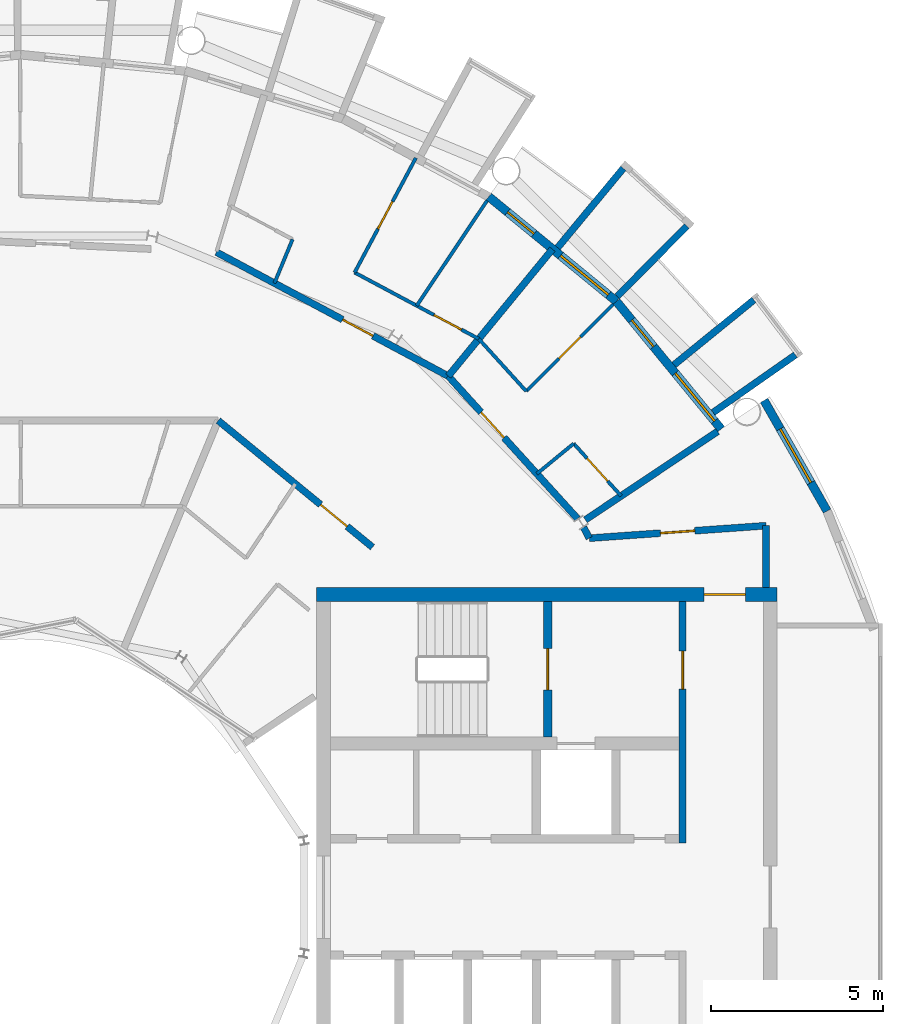
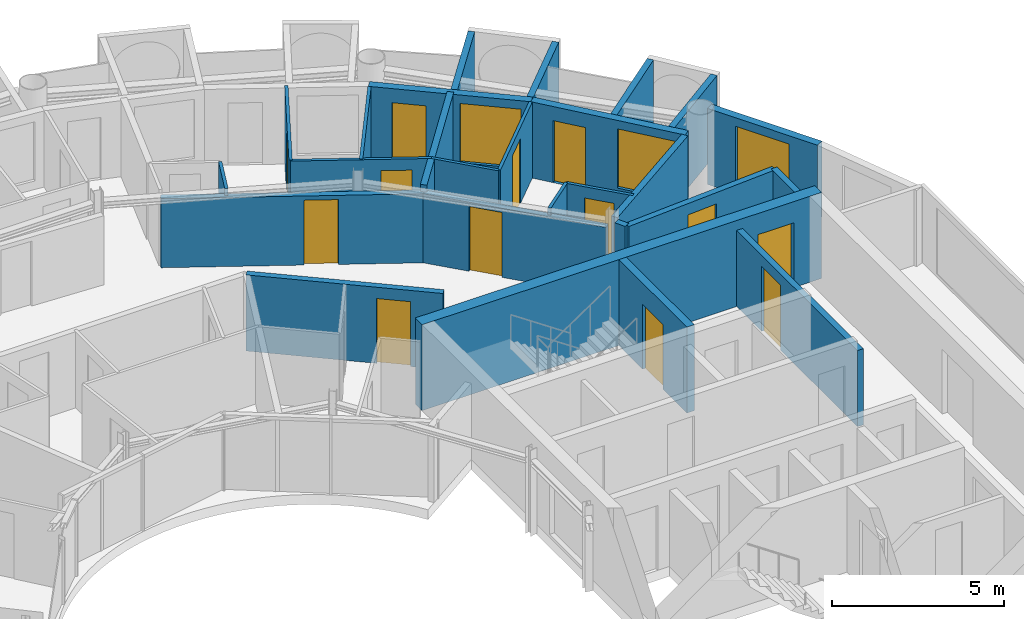
# One storey, part 22 of 27: 26 walls, 13 doors, 3 windows, 16 openings.
"""IFC4 building model written with IfcOpenShell, lengths in metres."""

from ifc_helpers import new_model, si_unit, direction, frame, frame_2d, origin, place, context, subcontext, project, spatial, rectangle, extrude, material, layer, layer_set, type_object, element, fill, save


model = new_model("IFC4")

# Units and contexts
model_context = context("Model", 3, precision=1e-05, world=origin(), true_north=direction((0.0, 1.0)))
body_context = subcontext(model_context, "Body", "Model", "MODEL_VIEW")
ifc_project = project(units=[si_unit("LENGTHUNIT", "METRE"), si_unit("AREAUNIT", "SQUARE_METRE"), si_unit("VOLUMEUNIT", "CUBIC_METRE"), si_unit("PLANEANGLEUNIT", "RADIAN"), si_unit("MASSUNIT", "GRAM", prefix="KILO")], contexts=[model_context])

# Site, building, storey
site_placement = place(None, origin())
site = spatial("IfcSite", under=ifc_project, at=site_placement, CompositionType="ELEMENT")
building_placement = place(site_placement, origin())
building = spatial("IfcBuilding", under=site, at=building_placement, Name="Maasbend Ring Residences", CompositionType="ELEMENT")
storey_placement = place(building_placement, frame((0.0, 0.0, 240.14990234375)))
storey = spatial("IfcBuildingStorey", under=building, at=storey_placement, Name="L69", CompositionType="ELEMENT", Elevation=240.14990234375)

# Wall, opening, door
ifc_material_1 = material(Name="Concrete C50/60", Category="concrete")
ifc_layer_1 = layer(ifc_material_1, 0.25)
ifc_layer_set_1 = layer_set([ifc_layer_1], Name="Concrete C50/60")
wall_type_1 = type_object("IfcWallType", Name="CORE WALL 250 C50/60", PredefinedType="SHEAR", material=ifc_layer_set_1)
wall_1_placement = place(storey_placement, frame((15.324951171875, 4.64990234375, 0.0), z_axis=(0.0, 0.0, 1.0), x_axis=(0.0, 1.0, 0.0)))
wall_1 = element("IfcWall", 1, at=wall_1_placement, inside=storey, type_object=wall_type_1, Name="L69 core E wall STEN", PredefinedType="SHEAR", context=body_context, shape_type="SweptSolid", body=[
    extrude(rectangle(XDim=3.9501953125, YDim=0.25, at=frame_2d((1.97509765625, 0.0))), origin(), (0.0, 0.0, 1.0), 3.050048828125),
])
opening_1_placement = place(wall_1_placement, frame((1.375, 0.0, 0.0)))
opening_1 = element("IfcOpeningElement", 2, at=opening_1_placement, cuts=wall_1, Name="Opening D-E6911", PredefinedType="OPENING", context=body_context, shape_type="SweptSolid", body=[
    extrude(rectangle(XDim=1.199951171875, YDim=2.300048828125, at=frame_2d((0.60009765625, 1.14990234375))), frame((0.0, 0.135009765625, 0.0), z_axis=(0.0, -1.0, 0.0), x_axis=(1.0, 0.0, 0.0)), (0.0, 0.0, 1.0), 0.27001953125),
])
ifc_material_2 = material(Name="Steel, powder coated", Category="steel")
door_type_1 = type_object("IfcDoorType", Name="STAIR DOOR 1200 X 2300 FD60", OperationType="NOTDEFINED", PredefinedType="DOOR", material=ifc_material_2)
door_1_placement = place(opening_1_placement, origin())
door_1 = element("IfcDoor", 3, at=door_1_placement, inside=storey, type_object=door_type_1, Name="Stair door ST-E L69", OperationType="SINGLE_SWING_LEFT", OverallHeight=2.300048828125, OverallWidth=1.199951171875, PredefinedType="DOOR", context=body_context, shape_type="SweptSolid", body=[
    extrude(rectangle(XDim=1.199951171875, YDim=2.300048828125, at=frame_2d((0.60009765625, 1.14990234375))), frame((0.0, 0.02490234375, 0.0), z_axis=(0.0, -1.0, 0.0), x_axis=(1.0, 0.0, 0.0)), (0.0, 0.0, 1.0), 0.050048828125),
])
fill(opening_1, door_1)

ifc_material_3 = material(Name="Concrete C50/60", Category="concrete")
ifc_layer_2 = layer(ifc_material_3, 0.39990234375)
ifc_layer_set_2 = layer_set([ifc_layer_2], Name="Concrete C50/60")
wall_type_2 = type_object("IfcWallType", Name="CORE WALL 400 C50/60", PredefinedType="SHEAR", material=ifc_layer_set_2)
wall_2_placement = place(storey_placement, frame((22.0, 8.800048828125, 0.0), z_axis=(0.0, 0.0, 1.0), x_axis=(-1.0, 0.0, 0.0)))
wall_2 = element("IfcWall", 4, at=wall_2_placement, inside=storey, type_object=wall_type_2, Name="L69 core E wall PN", PredefinedType="SHEAR", context=body_context, shape_type="SweptSolid", body=[
    extrude(rectangle(XDim=13.39990234375, YDim=0.39990234375, at=frame_2d((6.699951171875, 0.0))), origin(), (0.0, 0.0, 1.0), 3.050048828125),
])
opening_2_placement = place(wall_2_placement, frame((0.925048828125, 0.0, 0.0)))
opening_2 = element("IfcOpeningElement", 5, at=opening_2_placement, cuts=wall_2, Name="Opening D-E6915", PredefinedType="OPENING", context=body_context, shape_type="SweptSolid", body=[
    extrude(rectangle(XDim=1.199951171875, YDim=2.300048828125, at=frame_2d((0.60009765625, 1.14990234375))), frame((0.0, 0.2099609375, 0.0), z_axis=(0.0, -1.0, 0.0), x_axis=(1.0, 0.0, 0.0)), (0.0, 0.0, 1.0), 0.419921875),
])
ifc_material_4 = material(Name="Steel, powder coated", Category="steel")
door_type_2 = type_object("IfcDoorType", Name="CORRIDOR DOOR 1200 X 2300 FD30S", OperationType="NOTDEFINED", PredefinedType="DOOR", material=ifc_material_4)
door_2_placement = place(opening_2_placement, origin())
door_2 = element("IfcDoor", 6, at=door_2_placement, inside=storey, type_object=door_type_2, Name="Corridor door L69", OperationType="SINGLE_SWING_RIGHT", OverallHeight=2.300048828125, OverallWidth=1.199951171875, PredefinedType="DOOR", context=body_context, shape_type="SweptSolid", body=[
    extrude(rectangle(XDim=1.199951171875, YDim=2.300048828125, at=frame_2d((0.60009765625, 1.14990234375))), frame((0.0, 0.02490234375, 0.0), z_axis=(0.0, -1.0, 0.0), x_axis=(1.0, 0.0, 0.0)), (0.0, 0.0, 1.0), 0.050048828125),
])
fill(opening_2, door_2)

# Wall
ifc_material_5 = material(Name="Concrete C30/37", Category="concrete")
ifc_layer_3 = layer(ifc_material_5, 0.199951171875)
ifc_layer_set_3 = layer_set([ifc_layer_3], Name="Concrete C30/37")
wall_type_3 = type_object("IfcWallType", Name="CORRIDOR WALL 200 CONCRETE", PredefinedType="PARTITIONING", material=ifc_layer_set_3)
wall_3_placement = place(storey_placement, frame((21.675048828125, 9.0, 0.0), z_axis=(0.0, 0.0, 1.0), x_axis=(0.0, 1.0, 0.0)))
element("IfcWall", 7, at=wall_3_placement, inside=storey, type_object=wall_type_3, Name="U-L69-w002", PredefinedType="PARTITIONING", context=body_context, shape_type="SweptSolid", body=[
    extrude(rectangle(XDim=1.800048828125, YDim=0.199951171875, at=frame_2d((0.89990234375, 0.0))), origin(), (0.0, 0.0, 1.0), 2.7001953125),
])

# Wall, opening, door
wall_4_placement = place(storey_placement, frame((16.534912109375, 10.43701171875, 0.0), z_axis=(0.0, 0.0, 1.0), x_axis=(0.997515141784, 0.070452408845, 0.0)))
wall_4 = element("IfcWall", 8, at=wall_4_placement, inside=storey, type_object=wall_type_3, Name="U-L69-w098", PredefinedType="PARTITIONING", context=body_context, shape_type="SweptSolid", body=[
    extrude(rectangle(XDim=5.15283203125, YDim=0.199951171875, at=frame_2d((2.576416015625, 0.0))), origin(), (0.0, 0.0, 1.0), 2.7001953125),
])
opening_3_placement = place(wall_4_placement, frame((2.075927734375, 0.0, 0.0)))
opening_3 = element("IfcOpeningElement", 9, at=opening_3_placement, cuts=wall_4, Name="Opening D-6966", PredefinedType="OPENING", context=body_context, shape_type="SweptSolid", body=[
    extrude(rectangle(XDim=1.0, YDim=2.300048828125, at=frame_2d((0.5, 1.14990234375))), frame((0.0, 0.10986328125, 0.0), z_axis=(0.0, -1.0, 0.0), x_axis=(1.0, 0.0, 0.0)), (0.0, 0.0, 1.0), 0.219970703125),
])
ifc_material_6 = material(Name="Timber, painted", Category="wood")
door_type_3 = type_object("IfcDoorType", Name="ROOM DOOR 1000 X 2300", OperationType="NOTDEFINED", PredefinedType="DOOR", material=ifc_material_6)
door_3_placement = place(opening_3_placement, origin())
door_3 = element("IfcDoor", 10, at=door_3_placement, inside=storey, type_object=door_type_3, Name="D-6966", OperationType="SINGLE_SWING_LEFT", OverallHeight=2.300048828125, OverallWidth=1.0, PredefinedType="DOOR", context=body_context, shape_type="SweptSolid", body=[
    extrude(rectangle(XDim=1.0, YDim=2.300048828125, at=frame_2d((0.5, 1.14990234375))), frame((0.0, 0.02490234375, 0.0), z_axis=(0.0, -1.0, 0.0), x_axis=(1.0, 0.0, 0.0)), (0.0, 0.0, 1.0), 0.050048828125),
])
fill(opening_3, door_3)

wall_5_placement = place(storey_placement, frame((5.741943359375, 13.85693359375, 0.0), z_axis=(0.0, 0.0, 1.0), x_axis=(0.772989261861, -0.634419105204, 0.0)))
wall_5 = element("IfcWall", 11, at=wall_5_placement, inside=storey, type_object=wall_type_3, Name="U-L69-w107", PredefinedType="PARTITIONING", context=body_context, shape_type="SweptSolid", body=[
    extrude(rectangle(XDim=5.803466796875, YDim=0.199951171875, at=frame_2d((2.90185546875, 0.0))), origin(), (0.0, 0.0, 1.0), 2.7001953125),
])
opening_4_placement = place(wall_5_placement, frame((3.85107421875, 0.0, 0.0)))
opening_4 = element("IfcOpeningElement", 12, at=opening_4_placement, cuts=wall_5, Name="Opening D-6921", PredefinedType="OPENING", context=body_context, shape_type="SweptSolid", body=[
    extrude(rectangle(XDim=1.0, YDim=2.300048828125, at=frame_2d((0.5, 1.14990234375))), frame((0.0, 0.10986328125, 0.0), z_axis=(0.0, -1.0, 0.0), x_axis=(1.0, 0.0, 0.0)), (0.0, 0.0, 1.0), 0.219970703125),
])
ifc_material_7 = material(Name="Timber, fire-rated, painted", Category="wood")
door_type_4 = type_object("IfcDoorType", Name="FLAT ENTRANCE DOOR 1000 X 2300 FIRE-RATED", OperationType="NOTDEFINED", PredefinedType="DOOR", material=ifc_material_7)
door_4_placement = place(opening_4_placement, origin())
door_4 = element("IfcDoor", 13, at=door_4_placement, inside=storey, type_object=door_type_4, Name="D-6921", OperationType="SINGLE_SWING_RIGHT", OverallHeight=2.300048828125, OverallWidth=1.0, PredefinedType="DOOR", context=body_context, shape_type="SweptSolid", body=[
    extrude(rectangle(XDim=1.0, YDim=2.300048828125, at=frame_2d((0.5, 1.14990234375))), frame((0.0, 0.02490234375, 0.0), z_axis=(0.0, -1.0, 0.0), x_axis=(1.0, 0.0, 0.0)), (0.0, 0.0, 1.0), 0.050048828125),
])
fill(opening_4, door_4)

wall_6_placement = place(storey_placement, frame((5.68994140625, 18.756103515625, 0.0), z_axis=(0.0, 0.0, 1.0), x_axis=(0.881899173092, -0.47143806433, 0.0)))
wall_6 = element("IfcWall", 14, at=wall_6_placement, inside=storey, type_object=wall_type_3, Name="U-L69-w110", PredefinedType="PARTITIONING", context=body_context, shape_type="SweptSolid", body=[
    extrude(rectangle(XDim=7.647216796875, YDim=0.199951171875, at=frame_2d((3.82373046875, 0.0))), origin(), (0.0, 0.0, 1.0), 2.4501953125),
])
opening_5_placement = place(wall_6_placement, frame((4.160888671875, 0.0, 0.0)))
opening_5 = element("IfcOpeningElement", 15, at=opening_5_placement, cuts=wall_6, Name="Opening D-6904", PredefinedType="OPENING", context=body_context, shape_type="SweptSolid", body=[
    extrude(rectangle(XDim=1.0, YDim=2.300048828125, at=frame_2d((0.5, 1.14990234375))), frame((0.0, 0.10986328125, 0.0), z_axis=(0.0, -1.0, 0.0), x_axis=(1.0, 0.0, 0.0)), (0.0, 0.0, 1.0), 0.219970703125),
])
door_5_placement = place(opening_5_placement, origin())
door_5 = element("IfcDoor", 16, at=door_5_placement, inside=storey, type_object=door_type_4, Name="D-6904", OperationType="SINGLE_SWING_RIGHT", OverallHeight=2.300048828125, OverallWidth=1.0, PredefinedType="DOOR", context=body_context, shape_type="SweptSolid", body=[
    extrude(rectangle(XDim=1.0, YDim=2.300048828125, at=frame_2d((0.5, 1.14990234375))), frame((0.0, 0.02490234375, 0.0), z_axis=(0.0, -1.0, 0.0), x_axis=(1.0, 0.0, 0.0)), (0.0, 0.0, 1.0), 0.050048828125),
])
fill(opening_5, door_5)

wall_7_placement = place(storey_placement, frame((12.43408203125, 15.15087890625, 0.0), z_axis=(0.0, 0.0, 1.0), x_axis=(0.671619657805, -0.740896102871, 0.0)))
wall_7 = element("IfcWall", 17, at=wall_7_placement, inside=storey, type_object=wall_type_3, Name="U-L69-w112", PredefinedType="PARTITIONING", context=body_context, shape_type="SweptSolid", body=[
    extrude(rectangle(XDim=5.599853515625, YDim=0.199951171875, at=frame_2d((2.7998046875, 0.0))), origin(), (0.0, 0.0, 1.0), 2.4501953125),
])
opening_6_placement = place(wall_7_placement, frame((1.4169921875, 0.0, 0.0)))
opening_6 = element("IfcOpeningElement", 18, at=opening_6_placement, cuts=wall_7, Name="Opening D-6901", PredefinedType="OPENING", context=body_context, shape_type="SweptSolid", body=[
    extrude(rectangle(XDim=1.0, YDim=2.300048828125, at=frame_2d((0.5, 1.14990234375))), frame((0.0, 0.10986328125, 0.0), z_axis=(0.0, -1.0, 0.0), x_axis=(1.0, 0.0, 0.0)), (0.0, 0.0, 1.0), 0.219970703125),
])
door_6_placement = place(opening_6_placement, origin())
door_6 = element("IfcDoor", 19, at=door_6_placement, inside=storey, type_object=door_type_4, Name="D-6901", OperationType="SINGLE_SWING_LEFT", OverallHeight=2.300048828125, OverallWidth=1.0, PredefinedType="DOOR", context=body_context, shape_type="SweptSolid", body=[
    extrude(rectangle(XDim=1.0, YDim=2.300048828125, at=frame_2d((0.5, 1.14990234375))), frame((0.0, 0.02490234375, 0.0), z_axis=(0.0, -1.0, 0.0), x_axis=(1.0, 0.0, 0.0)), (0.0, 0.0, 1.0), 0.050048828125),
])
fill(opening_6, door_6)

# Walls
wall_8_placement = place(storey_placement, frame((16.366943359375, 10.756103515625, 0.0), z_axis=(0.0, 0.0, 1.0), x_axis=(0.465802239822, -0.884888848035, 0.0)))
element("IfcWall", 20, at=wall_8_placement, inside=storey, type_object=wall_type_3, Name="U-L69-w114", PredefinedType="PARTITIONING", context=body_context, shape_type="SweptSolid", body=[
    extrude(rectangle(XDim=0.360595703125, YDim=0.199951171875, at=frame_2d((0.18017578125, 0.0))), origin(), (0.0, 0.0, 1.0), 2.7001953125),
])
ifc_material_8 = material(Name="Pale anodised aluminium panel", Category="aluminium")
ifc_layer_4 = layer(ifc_material_8, 0.199951171875)
ifc_layer_set_4 = layer_set([ifc_layer_4], Name="EW-BOX")
wall_type_4 = type_object("IfcWallType", Name="EW-BOX", PredefinedType="SOLIDWALL", material=ifc_layer_set_4)
wall_9_placement = place(storey_placement, frame((20.137939453125, 14.093017578125, -0.02978515625), z_axis=(0.0, 0.0, 1.0), x_axis=(0.81913764619, 0.573596998419, 0.0)))
element("IfcWall", 21, at=wall_9_placement, inside=storey, type_object=wall_type_4, Name="Box side wall N01 left", PredefinedType="SOLIDWALL", context=body_context, shape_type="SweptSolid", body=[
    extrude(rectangle(XDim=2.920166015625, YDim=0.199951171875, at=frame_2d((1.4599609375, 0.0))), origin(), (0.0, 0.0, 1.0), 2.72998046875),
])
wall_10_placement = place(storey_placement, frame((19.0, 15.47900390625, -0.02978515625), z_axis=(0.0, 0.0, 1.0), x_axis=(0.775612161439, 0.631209771017, 0.0)))
element("IfcWall", 22, at=wall_10_placement, inside=storey, type_object=wall_type_4, Name="Box side wall N01 right", PredefinedType="SOLIDWALL", context=body_context, shape_type="SweptSolid", body=[
    extrude(rectangle(XDim=2.992431640625, YDim=0.199951171875, at=frame_2d((1.49609375, 0.0))), origin(), (0.0, 0.0, 1.0), 2.72998046875),
])
wall_11_placement = place(storey_placement, frame((17.343994140625, 17.469970703125, -0.02978515625), z_axis=(0.0, 0.0, 1.0), x_axis=(0.704306055012, 0.709896457854, 0.0)))
element("IfcWall", 23, at=wall_11_placement, inside=storey, type_object=wall_type_4, Name="Box side wall N03 left", PredefinedType="SOLIDWALL", context=body_context, shape_type="SweptSolid", body=[
    extrude(rectangle(XDim=2.88232421875, YDim=0.199951171875, at=frame_2d((1.441162109375, 0.0))), origin(), (0.0, 0.0, 1.0), 2.72998046875),
])
wall_12_placement = place(storey_placement, frame((15.614990234375, 18.887939453125, -0.02978515625), z_axis=(0.0, 0.0, 1.0), x_axis=(0.637452521862, 0.770489638069, 0.0)))
element("IfcWall", 24, at=wall_12_placement, inside=storey, type_object=wall_type_4, Name="Box side wall N03 right", PredefinedType="SOLIDWALL", context=body_context, shape_type="SweptSolid", body=[
    extrude(rectangle(XDim=2.9931640625, YDim=0.199951171875, at=frame_2d((1.49658203125, 0.0))), origin(), (0.0, 0.0, 1.0), 2.72998046875),
])

# Wall, openings, door, window
ifc_material_9 = material(Name="Aluminium clad insulated panel", Category="aluminium")
ifc_layer_5 = layer(ifc_material_9, 0.25)
ifc_layer_set_5 = layer_set([ifc_layer_5], Name="EW-GL")
wall_type_5 = type_object("IfcWallType", Name="EW-GL", PredefinedType="SOLIDWALL", material=ifc_layer_set_5)
wall_13_placement = place(storey_placement, frame((20.37109375, 13.611083984375, 0.0), z_axis=(0.0, 0.0, 1.0), x_axis=(-0.634396836208, 0.773007538262, 0.0)))
wall_13 = element("IfcWall", 25, at=wall_13_placement, inside=storey, type_object=wall_type_5, Name="External wall N01", PredefinedType="SOLIDWALL", context=body_context, shape_type="SweptSolid", body=[
    extrude(rectangle(XDim=4.80322265625, YDim=0.25, at=frame_2d((2.401611328125, 0.0))), origin(), (0.0, 0.0, 1.0), 2.7001953125),
])
opening_7_placement = place(wall_13_placement, frame((0.3037109375, 0.0, 0.300048828125)))
opening_7 = element("IfcOpeningElement", 26, at=opening_7_placement, cuts=wall_13, Name="Opening W-BX", PredefinedType="OPENING", context=body_context, shape_type="SweptSolid", body=[
    extrude(rectangle(XDim=1.800048828125, YDim=2.10009765625, at=frame_2d((0.89990234375, 1.050048828125))), frame((0.0, 0.135009765625, 0.0), z_axis=(0.0, -1.0, 0.0), x_axis=(1.0, 0.0, 0.0)), (0.0, 0.0, 1.0), 0.27001953125),
])
opening_8_placement = place(wall_13_placement, frame((3.09912109375, 0.0, 0.0)))
opening_8 = element("IfcOpeningElement", 27, at=opening_8_placement, cuts=wall_13, Name="Opening D-LG", PredefinedType="OPENING", context=body_context, shape_type="SweptSolid", body=[
    extrude(rectangle(XDim=1.0, YDim=2.199951171875, at=frame_2d((0.5, 1.10009765625))), frame((0.0, 0.135009765625, 0.0), z_axis=(0.0, -1.0, 0.0), x_axis=(1.0, 0.0, 0.0)), (0.0, 0.0, 1.0), 0.27001953125),
])
ifc_material_10 = material(Name="Aluminium and clear glass", Category="aluminium")
door_type_5 = type_object("IfcDoorType", Name="D-LG", OperationType="SINGLE_SWING_LEFT", PredefinedType="DOOR", material=ifc_material_10)
door_7_placement = place(opening_8_placement, origin())
door_7 = element("IfcDoor", 28, at=door_7_placement, inside=storey, type_object=door_type_5, Name="Loggia door N02", OperationType="SINGLE_SWING_LEFT", OverallHeight=2.199951171875, OverallWidth=1.0, PredefinedType="DOOR", context=body_context, shape_type="SweptSolid", body=[
    extrude(rectangle(XDim=1.0, YDim=2.199951171875, at=frame_2d((0.5, 1.10009765625))), frame((0.0, 0.02490234375, 0.0), z_axis=(0.0, -1.0, 0.0), x_axis=(1.0, 0.0, 0.0)), (0.0, 0.0, 1.0), 0.050048828125),
])
fill(opening_8, door_7)
ifc_material_11 = material(Name="Aluminium and clear glass", Category="aluminium")
window_type = type_object("IfcWindowType", Name="W-BX", PartitioningType="DOUBLE_PANEL_VERTICAL", PredefinedType="WINDOW", material=ifc_material_11)
window_1_placement = place(opening_7_placement, origin())
window_1 = element("IfcWindow", 29, at=window_1_placement, inside=storey, type_object=window_type, Name="Window N01 room to box", OverallHeight=2.10009765625, OverallWidth=1.800048828125, PartitioningType="SINGLE_PANEL", PredefinedType="WINDOW", context=body_context, shape_type="SweptSolid", body=[
    extrude(rectangle(XDim=1.800048828125, YDim=2.10009765625, at=frame_2d((0.89990234375, 1.050048828125))), frame((0.0, 0.030029296875, 0.0), z_axis=(0.0, -1.0, 0.0), x_axis=(1.0, 0.0, 0.0)), (0.0, 0.0, 1.0), 0.06005859375),
])
fill(opening_7, window_1)

wall_14_placement = place(storey_placement, frame((17.323974609375, 17.323974609375, 0.0), z_axis=(0.0, 0.0, 1.0), x_axis=(-0.773007538262, 0.634396836208, 0.0)))
wall_14 = element("IfcWall", 30, at=wall_14_placement, inside=storey, type_object=wall_type_5, Name="External wall N02", PredefinedType="SOLIDWALL", context=body_context, shape_type="SweptSolid", body=[
    extrude(rectangle(XDim=4.80322265625, YDim=0.25, at=frame_2d((2.401611328125, 0.0))), origin(), (0.0, 0.0, 1.0), 2.7001953125),
])
opening_9_placement = place(wall_14_placement, frame((0.3037109375, 0.0, 0.300048828125)))
opening_9 = element("IfcOpeningElement", 31, at=opening_9_placement, cuts=wall_14, Name="Opening W-BX", PredefinedType="OPENING", context=body_context, shape_type="SweptSolid", body=[
    extrude(rectangle(XDim=1.800048828125, YDim=2.10009765625, at=frame_2d((0.89990234375, 1.050048828125))), frame((0.0, 0.135009765625, 0.0), z_axis=(0.0, -1.0, 0.0), x_axis=(1.0, 0.0, 0.0)), (0.0, 0.0, 1.0), 0.27001953125),
])
opening_10_placement = place(wall_14_placement, frame((3.09912109375, 0.0, 0.0)))
opening_10 = element("IfcOpeningElement", 32, at=opening_10_placement, cuts=wall_14, Name="Opening D-LG", PredefinedType="OPENING", context=body_context, shape_type="SweptSolid", body=[
    extrude(rectangle(XDim=1.0, YDim=2.199951171875, at=frame_2d((0.5, 1.10009765625))), frame((0.0, 0.135009765625, 0.0), z_axis=(0.0, -1.0, 0.0), x_axis=(1.0, 0.0, 0.0)), (0.0, 0.0, 1.0), 0.27001953125),
])
door_8_placement = place(opening_10_placement, origin())
door_8 = element("IfcDoor", 33, at=door_8_placement, inside=storey, type_object=door_type_5, Name="Loggia door N04", OperationType="SINGLE_SWING_LEFT", OverallHeight=2.199951171875, OverallWidth=1.0, PredefinedType="DOOR", context=body_context, shape_type="SweptSolid", body=[
    extrude(rectangle(XDim=1.0, YDim=2.199951171875, at=frame_2d((0.5, 1.10009765625))), frame((0.0, 0.02490234375, 0.0), z_axis=(0.0, -1.0, 0.0), x_axis=(1.0, 0.0, 0.0)), (0.0, 0.0, 1.0), 0.050048828125),
])
fill(opening_10, door_8)
window_2_placement = place(opening_9_placement, origin())
window_2 = element("IfcWindow", 34, at=window_2_placement, inside=storey, type_object=window_type, Name="Window N03 room to box", OverallHeight=2.10009765625, OverallWidth=1.800048828125, PartitioningType="SINGLE_PANEL", PredefinedType="WINDOW", context=body_context, shape_type="SweptSolid", body=[
    extrude(rectangle(XDim=1.800048828125, YDim=2.10009765625, at=frame_2d((0.89990234375, 1.050048828125))), frame((0.0, 0.030029296875, 0.0), z_axis=(0.0, -1.0, 0.0), x_axis=(1.0, 0.0, 0.0)), (0.0, 0.0, 1.0), 0.06005859375),
])
fill(opening_9, window_2)

# Wall, opening, window
ifc_material_12 = material(Name="Aluminium clad insulated panel", Category="aluminium")
ifc_layer_6 = layer(ifc_material_12, 0.25)
ifc_layer_set_6 = layer_set([ifc_layer_6], Name="EW-HORN")
wall_type_6 = type_object("IfcWallType", Name="EW-HORN", PredefinedType="SOLIDWALL", material=ifc_layer_set_6)
wall_15_placement = place(storey_placement, frame((23.451904296875, 11.22607421875, 0.0), z_axis=(0.0, 0.0, 1.0), x_axis=(-0.495031435966, 0.868875064325, 0.0)))
wall_15 = element("IfcWall", 35, at=wall_15_placement, inside=storey, type_object=wall_type_6, Name="Horn wall 1.2", PredefinedType="SOLIDWALL", context=body_context, shape_type="SweptSolid", body=[
    extrude(rectangle(XDim=3.704833984375, YDim=0.25, at=frame_2d((1.8525390625, 0.0))), origin(), (0.0, 0.0, 1.0), 2.7001953125),
])
opening_11_placement = place(wall_15_placement, frame((0.952392578125, 0.0, 0.300048828125)))
opening_11 = element("IfcOpeningElement", 36, at=opening_11_placement, cuts=wall_15, Name="Opening W-BX", PredefinedType="OPENING", context=body_context, shape_type="SweptSolid", body=[
    extrude(rectangle(XDim=1.800048828125, YDim=2.10009765625, at=frame_2d((0.89990234375, 1.050048828125))), frame((0.0, 0.135009765625, 0.0), z_axis=(0.0, -1.0, 0.0), x_axis=(1.0, 0.0, 0.0)), (0.0, 0.0, 1.0), 0.27001953125),
])
window_3_placement = place(opening_11_placement, origin())
window_3 = element("IfcWindow", 37, at=window_3_placement, inside=storey, type_object=window_type, Name="Horn window 1.2", OverallHeight=2.10009765625, OverallWidth=1.800048828125, PartitioningType="SINGLE_PANEL", PredefinedType="WINDOW", context=body_context, shape_type="SweptSolid", body=[
    extrude(rectangle(XDim=1.800048828125, YDim=2.10009765625, at=frame_2d((0.89990234375, 1.050048828125))), frame((0.0, 0.030029296875, 0.0), z_axis=(0.0, -1.0, 0.0), x_axis=(1.0, 0.0, 0.0)), (0.0, 0.0, 1.0), 0.06005859375),
])
fill(opening_11, window_3)

# Wall
ifc_material_13 = material(Name="Gypsum board on steel studs", Category="steel")
ifc_layer_7 = layer(ifc_material_13, 0.10009765625)
ifc_layer_set_7 = layer_set([ifc_layer_7], Name="PARTITION 100 GYPSUM")
wall_type_7 = type_object("IfcWallType", Name="PARTITION 100 GYPSUM", PredefinedType="PARTITIONING", material=ifc_layer_set_7)
wall_16_placement = place(storey_placement, frame((7.3759765625, 17.85498046875, 0.0), z_axis=(0.0, 0.0, 1.0), x_axis=(0.382075632463, 0.924131057306, 0.0)))
element("IfcWall", 38, at=wall_16_placement, inside=storey, type_object=wall_type_7, Name="U-L69-w079", PredefinedType="PARTITIONING", context=body_context, shape_type="SweptSolid", body=[
    extrude(rectangle(XDim=1.379638671875, YDim=0.10009765625, at=frame_2d((0.68994140625, 0.0))), origin(), (0.0, 0.0, 1.0), 2.7001953125),
])

# Wall, opening, door
wall_17_placement = place(storey_placement, frame((9.708984375, 18.1650390625, 0.0), z_axis=(0.0, 0.0, 1.0), x_axis=(0.471396335579, 0.881921478819, 0.0)))
wall_17 = element("IfcWall", 39, at=wall_17_placement, inside=storey, type_object=wall_type_7, Name="U-L69-w081", PredefinedType="PARTITIONING", context=body_context, shape_type="SweptSolid", body=[
    extrude(rectangle(XDim=3.778076171875, YDim=0.10009765625, at=frame_2d((1.88916015625, 0.0))), origin(), (0.0, 0.0, 1.0), 2.7001953125),
])
opening_12_placement = place(wall_17_placement, frame((1.43896484375, 0.0, 0.0)))
opening_12 = element("IfcOpeningElement", 40, at=opening_12_placement, cuts=wall_17, Name="Opening D-6906", PredefinedType="OPENING", context=body_context, shape_type="SweptSolid", body=[
    extrude(rectangle(XDim=0.89990234375, YDim=2.300048828125, at=frame_2d((0.449951171875, 1.14990234375))), frame((0.0, 0.06005859375, 0.0), z_axis=(0.0, -1.0, 0.0), x_axis=(1.0, 0.0, 0.0)), (0.0, 0.0, 1.0), 0.1201171875),
])
ifc_material_14 = material(Name="Timber, painted", Category="wood")
door_type_6 = type_object("IfcDoorType", Name="INTERNAL DOOR 900 X 2300", OperationType="NOTDEFINED", PredefinedType="DOOR", material=ifc_material_14)
door_9_placement = place(opening_12_placement, origin())
door_9 = element("IfcDoor", 41, at=door_9_placement, inside=storey, type_object=door_type_6, Name="D-6906", OperationType="SINGLE_SWING_LEFT", OverallHeight=2.300048828125, OverallWidth=0.89990234375, PredefinedType="DOOR", context=body_context, shape_type="SweptSolid", body=[
    extrude(rectangle(XDim=0.89990234375, YDim=2.300048828125, at=frame_2d((0.449951171875, 1.14990234375))), frame((0.0, 0.02490234375, 0.0), z_axis=(0.0, -1.0, 0.0), x_axis=(1.0, 0.0, 0.0)), (0.0, 0.0, 1.0), 0.050048828125),
])
fill(opening_12, door_9)

# Wall
wall_18_placement = place(storey_placement, frame((11.51611328125, 17.198974609375, 0.0), z_axis=(0.0, 0.0, 1.0), x_axis=(0.556262440993, 0.831006676712, 0.0)))
element("IfcWall", 42, at=wall_18_placement, inside=storey, type_object=wall_type_7, Name="U-L69-w084", PredefinedType="PARTITIONING", context=body_context, shape_type="SweptSolid", body=[
    extrude(rectangle(XDim=3.67626953125, YDim=0.10009765625, at=frame_2d((1.838134765625, 0.0))), origin(), (0.0, 0.0, 1.0), 2.7001953125),
])

# Wall, opening, door
wall_19_placement = place(storey_placement, frame((14.701904296875, 14.7109375, 0.0), z_axis=(0.0, 0.0, 1.0), x_axis=(0.706833687935, 0.707379769007, 0.0)))
wall_19 = element("IfcWall", 43, at=wall_19_placement, inside=storey, type_object=wall_type_7, Name="U-L69-w088", PredefinedType="PARTITIONING", context=body_context, shape_type="SweptSolid", body=[
    extrude(rectangle(XDim=3.57666015625, YDim=0.10009765625, at=frame_2d((1.788330078125, 0.0))), origin(), (0.0, 0.0, 1.0), 2.7001953125),
])
opening_13_placement = place(wall_19_placement, frame((1.337890625, 0.0, 0.0)))
opening_13 = element("IfcOpeningElement", 44, at=opening_13_placement, cuts=wall_19, Name="Opening D-6903", PredefinedType="OPENING", context=body_context, shape_type="SweptSolid", body=[
    extrude(rectangle(XDim=0.89990234375, YDim=2.300048828125, at=frame_2d((0.449951171875, 1.14990234375))), frame((0.0, 0.06005859375, 0.0), z_axis=(0.0, -1.0, 0.0), x_axis=(1.0, 0.0, 0.0)), (0.0, 0.0, 1.0), 0.1201171875),
])
door_10_placement = place(opening_13_placement, origin())
door_10 = element("IfcDoor", 45, at=door_10_placement, inside=storey, type_object=door_type_6, Name="D-6903", OperationType="SINGLE_SWING_RIGHT", OverallHeight=2.300048828125, OverallWidth=0.89990234375, PredefinedType="DOOR", context=body_context, shape_type="SweptSolid", body=[
    extrude(rectangle(XDim=0.89990234375, YDim=2.300048828125, at=frame_2d((0.449951171875, 1.14990234375))), frame((0.0, 0.02490234375, 0.0), z_axis=(0.0, -1.0, 0.0), x_axis=(1.0, 0.0, 0.0)), (0.0, 0.0, 1.0), 0.050048828125),
])
fill(opening_13, door_10)

# Wall
wall_20_placement = place(storey_placement, frame((15.009033203125, 12.31005859375, 0.0), z_axis=(0.0, 0.0, 1.0), x_axis=(0.773321325714, 0.634014295735, 0.0)))
element("IfcWall", 46, at=wall_20_placement, inside=storey, type_object=wall_type_7, Name="U-L69-w089", PredefinedType="PARTITIONING", context=body_context, shape_type="SweptSolid", body=[
    extrude(rectangle(XDim=1.38623046875, YDim=0.10009765625, at=frame_2d((0.693115234375, 0.0))), origin(), (0.0, 0.0, 1.0), 2.7001953125),
])

# Wall, opening, door
wall_21_placement = place(storey_placement, frame((9.7080078125, 18.1650390625, 0.0), z_axis=(0.0, 0.0, 1.0), x_axis=(0.881926970029, -0.471386062094, 0.0)))
wall_21 = element("IfcWall", 47, at=wall_21_placement, inside=storey, type_object=wall_type_7, Name="U-L69-w120", PredefinedType="PARTITIONING", context=body_context, shape_type="SweptSolid", body=[
    extrude(rectangle(XDim=4.0966796875, YDim=0.10009765625, at=frame_2d((2.04833984375, 0.0))), origin(), (0.0, 0.0, 1.0), 2.7001953125),
])
opening_14_placement = place(wall_21_placement, frame((2.6220703125, 0.0, 0.0)))
opening_14 = element("IfcOpeningElement", 48, at=opening_14_placement, cuts=wall_21, Name="Opening D-6907", PredefinedType="OPENING", context=body_context, shape_type="SweptSolid", body=[
    extrude(rectangle(XDim=0.89990234375, YDim=2.300048828125, at=frame_2d((0.449951171875, 1.14990234375))), frame((0.0, 0.06005859375, 0.0), z_axis=(0.0, -1.0, 0.0), x_axis=(1.0, 0.0, 0.0)), (0.0, 0.0, 1.0), 0.1201171875),
])
door_11_placement = place(opening_14_placement, origin())
door_11 = element("IfcDoor", 49, at=door_11_placement, inside=storey, type_object=door_type_6, Name="D-6907", OperationType="SINGLE_SWING_RIGHT", OverallHeight=2.300048828125, OverallWidth=0.89990234375, PredefinedType="DOOR", context=body_context, shape_type="SweptSolid", body=[
    extrude(rectangle(XDim=0.89990234375, YDim=2.300048828125, at=frame_2d((0.449951171875, 1.14990234375))), frame((0.0, 0.02490234375, 0.0), z_axis=(0.0, -1.0, 0.0), x_axis=(1.0, 0.0, 0.0)), (0.0, 0.0, 1.0), 0.050048828125),
])
fill(opening_14, door_11)

# Wall
wall_22_placement = place(storey_placement, frame((13.321044921875, 16.23291015625, 0.0), z_axis=(0.0, 0.0, 1.0), x_axis=(0.671678456097, -0.74084279818, 0.0)))
element("IfcWall", 50, at=wall_22_placement, inside=storey, type_object=wall_type_7, Name="U-L69-w123", PredefinedType="PARTITIONING", context=body_context, shape_type="SweptSolid", body=[
    extrude(rectangle(XDim=2.054443359375, YDim=0.10009765625, at=frame_2d((1.02734375, 0.0))), origin(), (0.0, 0.0, 1.0), 2.7001953125),
])

# Wall, opening, door
wall_23_placement = place(storey_placement, frame((16.0810546875, 13.18896484375, 0.0), z_axis=(0.0, 0.0, 1.0), x_axis=(0.671678456097, -0.74084279818, 0.0)))
wall_23 = element("IfcWall", 51, at=wall_23_placement, inside=storey, type_object=wall_type_7, Name="U-L69-w124", PredefinedType="PARTITIONING", context=body_context, shape_type="SweptSolid", body=[
    extrude(rectangle(XDim=2.054443359375, YDim=0.10009765625, at=frame_2d((1.02734375, 0.0))), origin(), (0.0, 0.0, 1.0), 2.7001953125),
])
opening_15_placement = place(wall_23_placement, frame((0.576904296875, 0.0, 0.0)))
opening_15 = element("IfcOpeningElement", 52, at=opening_15_placement, cuts=wall_23, Name="Opening D-6902", PredefinedType="OPENING", context=body_context, shape_type="SweptSolid", body=[
    extrude(rectangle(XDim=0.89990234375, YDim=2.300048828125, at=frame_2d((0.449951171875, 1.14990234375))), frame((0.0, 0.06005859375, 0.0), z_axis=(0.0, -1.0, 0.0), x_axis=(1.0, 0.0, 0.0)), (0.0, 0.0, 1.0), 0.1201171875),
])
door_12_placement = place(opening_15_placement, origin())
door_12 = element("IfcDoor", 53, at=door_12_placement, inside=storey, type_object=door_type_6, Name="D-6902", OperationType="SINGLE_SWING_RIGHT", OverallHeight=2.300048828125, OverallWidth=0.89990234375, PredefinedType="DOOR", context=body_context, shape_type="SweptSolid", body=[
    extrude(rectangle(XDim=0.89990234375, YDim=2.300048828125, at=frame_2d((0.449951171875, 1.14990234375))), frame((0.0, 0.02490234375, 0.0), z_axis=(0.0, -1.0, 0.0), x_axis=(1.0, 0.0, 0.0)), (0.0, 0.0, 1.0), 0.050048828125),
])
fill(opening_15, door_12)

# Walls
ifc_material_15 = material(Name="Concrete C30/37", Category="concrete")
ifc_layer_8 = layer(ifc_material_15, 0.199951171875)
ifc_layer_set_8 = layer_set([ifc_layer_8], Name="Concrete C30/37")
wall_type_8 = type_object("IfcWallType", Name="PARTY WALL 200 CONCRETE", PredefinedType="PARTITIONING", material=ifc_layer_set_8)
wall_24_placement = place(storey_placement, frame((12.43310546875, 15.152099609375, 0.0), z_axis=(0.0, 0.0, 1.0), x_axis=(0.634362058107, 0.77303607887, 0.0)))
element("IfcWall", 54, at=wall_24_placement, inside=storey, type_object=wall_type_8, Name="U-L69-w086", PredefinedType="PARTITIONING", context=body_context, shape_type="SweptSolid", body=[
    extrude(rectangle(XDim=4.774658203125, YDim=0.199951171875, at=frame_2d((2.38720703125, 0.0))), origin(), (0.0, 0.0, 1.0), 2.7001953125),
])
wall_25_placement = place(storey_placement, frame((16.422119140625, 10.971923828125, 0.0), z_axis=(0.0, 0.0, 1.0), x_axis=(0.831375603725, 0.555710901036, 0.0)))
element("IfcWall", 55, at=wall_25_placement, inside=storey, type_object=wall_type_8, Name="U-L69-w092", PredefinedType="PARTITIONING", context=body_context, shape_type="SweptSolid", body=[
    extrude(rectangle(XDim=4.624755859375, YDim=0.199951171875, at=frame_2d((2.3125, 0.0))), origin(), (0.0, 0.0, 1.0), 2.7001953125),
])

# Wall, opening, door
ifc_material_16 = material(Name="Concrete C30/37", Category="concrete")
ifc_layer_9 = layer(ifc_material_16, 0.199951171875)
ifc_layer_set_9 = layer_set([ifc_layer_9], Name="Concrete C30/37")
wall_type_9 = type_object("IfcWallType", Name="SHAFT WALL 200 EI 120", PredefinedType="SOLIDWALL", material=ifc_layer_set_9)
wall_26_placement = place(storey_placement, frame((19.25, 1.574951171875, 0.0), z_axis=(0.0, 0.0, 1.0), x_axis=(0.0, 1.0, 0.0)))
wall_26 = element("IfcWall", 56, at=wall_26_placement, inside=storey, type_object=wall_type_9, Name="L69 core E wall ENDN", PredefinedType="SOLIDWALL", context=body_context, shape_type="SweptSolid", body=[
    extrude(rectangle(XDim=7.025146484375, YDim=0.199951171875, at=frame_2d((3.5126953125, 0.0))), origin(), (0.0, 0.0, 1.0), 2.7001953125),
])
opening_16_placement = place(wall_26_placement, frame((4.47509765625, 0.0, 0.0)))
opening_16 = element("IfcOpeningElement", 57, at=opening_16_placement, cuts=wall_26, Name="Opening D-E6913", PredefinedType="OPENING", context=body_context, shape_type="SweptSolid", body=[
    extrude(rectangle(XDim=1.10009765625, YDim=2.300048828125, at=frame_2d((0.550048828125, 1.14990234375))), frame((0.0, 0.10986328125, 0.0), z_axis=(0.0, -1.0, 0.0), x_axis=(1.0, 0.0, 0.0)), (0.0, 0.0, 1.0), 0.219970703125),
])
ifc_material_17 = material(Name="Steel, powder coated", Category="steel")
door_type_7 = type_object("IfcDoorType", Name="LOBBY DOOR 1100 X 2300 FD60", OperationType="NOTDEFINED", PredefinedType="DOOR", material=ifc_material_17)
door_13_placement = place(opening_16_placement, origin())
door_13 = element("IfcDoor", 58, at=door_13_placement, inside=storey, type_object=door_type_7, Name="Lobby door L69", OperationType="SINGLE_SWING_LEFT", OverallHeight=2.300048828125, OverallWidth=1.10009765625, PredefinedType="DOOR", context=body_context, shape_type="SweptSolid", body=[
    extrude(rectangle(XDim=1.10009765625, YDim=2.300048828125, at=frame_2d((0.550048828125, 1.14990234375))), frame((0.0, 0.02490234375, 0.0), z_axis=(0.0, -1.0, 0.0), x_axis=(1.0, 0.0, 0.0)), (0.0, 0.0, 1.0), 0.050048828125),
])
fill(opening_16, door_13)

save(model, "model.ifc")
